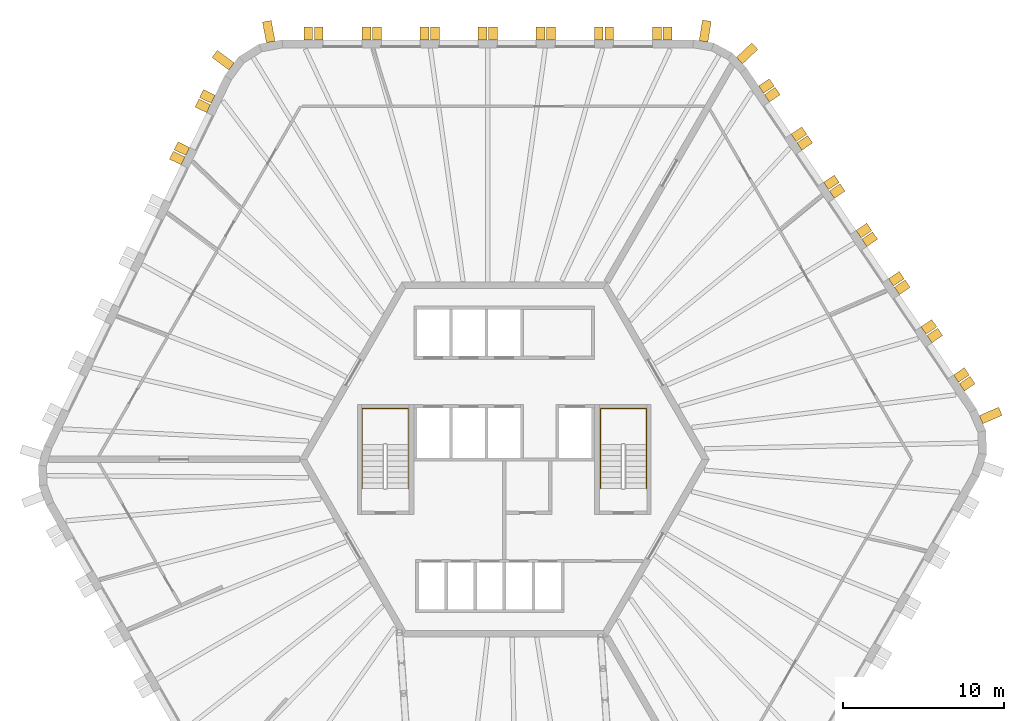
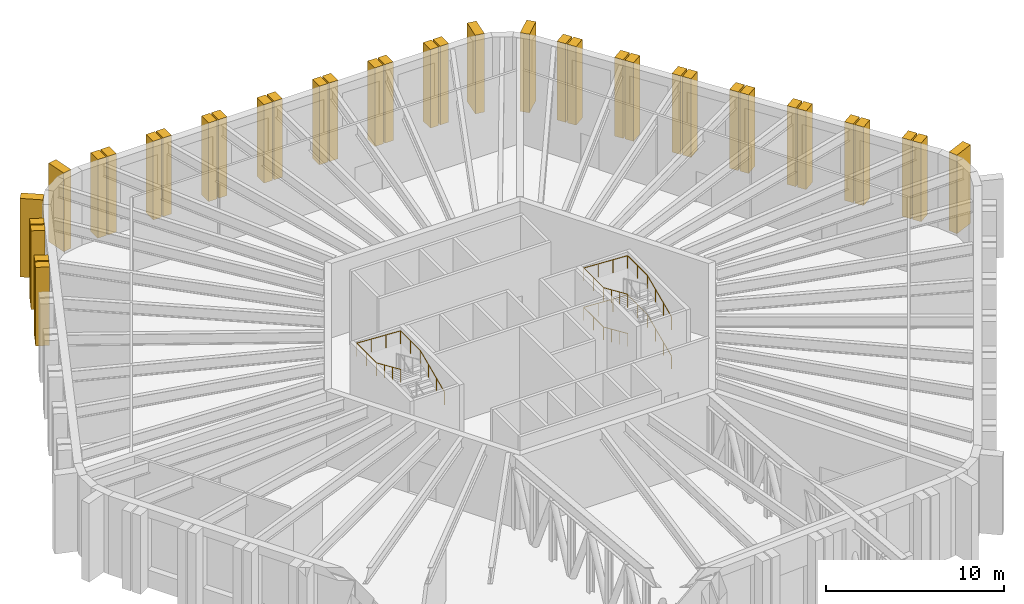
# One storey, part 9 of 9: 37 shading devices, 3 railings.
"""IFC4 building model written with IfcOpenShell, lengths in metres."""

from ifc_helpers import new_model, si_unit, direction, frame, origin, origin_2d, place, context, subcontext, project, spatial, polyline, circle, outline, extrude, material, layer, layer_set, type_object, element, save


model = new_model("IFC4")

# Units and contexts
model_context = context("Model", 3, precision=1e-05, world=origin(), true_north=direction((0.0, 1.0)))
body_context = subcontext(model_context, "Body", "Model", "MODEL_VIEW")
ifc_project = project(units=[si_unit("LENGTHUNIT", "METRE"), si_unit("AREAUNIT", "SQUARE_METRE"), si_unit("VOLUMEUNIT", "CUBIC_METRE"), si_unit("PLANEANGLEUNIT", "RADIAN"), si_unit("MASSUNIT", "GRAM", prefix="KILO")], contexts=[model_context])

# Site, building, storey
site_placement = place(None, origin())
site = spatial("IfcSite", under=ifc_project, at=site_placement, CompositionType="ELEMENT")
building_placement = place(site_placement, origin())
building = spatial("IfcBuilding", under=site, at=building_placement, Name="Tarnside Tower", CompositionType="ELEMENT")
storey_placement = place(building_placement, frame((0.0, 0.0, 338.10009765625)))
storey = spatial("IfcBuildingStorey", under=building, at=storey_placement, Name="L82", CompositionType="ELEMENT", Elevation=338.10009765625)

# Shading devices
ifc_material_1 = material(Name="Concrete C50/60 white precast", Category="concrete")
ifc_layer_1 = layer(ifc_material_1, 0.550048828125)
ifc_layer_set_1 = layer_set([ifc_layer_1], Name="Precast fin 550 x 1300")
shading_device_type_1 = type_object("IfcShadingDeviceType", Name="Precast fin 550 x 1300", PredefinedType="USERDEFINED", material=ifc_layer_set_1)
for number, where, z_axis, x_axis, name in (
    (1, (-14.4755859375, 25.8671875, -0.300048828125), (0.982720646705, 0.18509492305, 0.0), (-0.18509492305, 0.982720646705, 0.0), "Precast fin"),
    (2, (-16.903564453125, 24.349853515625, -0.300048828125), (0.597158591707, 0.802123192752, 0.0), (-0.802123192752, 0.597158591707, 0.0), "Precast fin"),
    (3, (29.53955078125, 2.464111328125, -0.300048828125), (0.396079766034, -0.918216106883, 0.0), (0.918216106883, 0.396079766034, 0.0), "Precast fin"),
    (4, (14.571044921875, 24.7109375, -0.300048828125), (0.686241637865, -0.727373641577, 0.0), (0.727373641577, 0.686241637865, 0.0), "Precast fin"),
    (5, (12.33837890625, 25.89794921875, -0.300048828125), (0.986761532114, -0.1621779231, 0.0), (0.1621779231, 0.986761532114, 0.0), "Precast fin"),
):
    element("IfcShadingDevice", number, at=place(storey_placement, frame(where, z_axis=z_axis, x_axis=x_axis)), inside=storey, type_object=shading_device_type_1, Name=name, ObjectType="FIN", PredefinedType="USERDEFINED", context=body_context, shape_type="SweptSolid", body=[
        extrude(outline(polyline([(0.0, 0.0), (1.300048828125, 0.0), (1.300048828125, 5.39990234375), (0.0, 5.39990234375), (0.0, 0.0)])), frame((0.0, 0.0, -0.27490234375)), (0.0, 0.0, 1.0), 0.550048828125),
    ])
ifc_layer_2 = layer(ifc_material_1, 0.550048828125)
ifc_layer_set_2 = layer_set([ifc_layer_2], Name="Precast fin 550 x 800")
shading_device_type_2 = type_object("IfcShadingDeviceType", Name="Precast fin 550 x 800", PredefinedType="USERDEFINED", material=ifc_layer_set_2)
for number, where, z_axis, x_axis, name in (
    (6, (10.10009765625, 26.0, -0.300048828125), (1.0, 0.0, 0.0), (0.0, 1.0, 0.0), "Precast fin"),
    (7, (9.4501953125, 26.0, -0.300048828125), (1.0, 0.0, 0.0), (0.0, 1.0, 0.0), "Precast fin"),
    (8, (6.500244140625, 26.0, -0.300048828125), (1.0, 0.0, 0.0), (0.0, 1.0, 0.0), "Precast fin"),
    (9, (5.85009765625, 26.0, -0.300048828125), (1.0, 0.0, 0.0), (0.0, 1.0, 0.0), "Precast fin"),
    (10, (2.900146484375, 26.0, -0.300048828125), (1.0, 0.0, 0.0), (0.0, 1.0, 0.0), "Precast fin"),
    (11, (2.250244140625, 26.0, -0.300048828125), (1.0, 0.0, 0.0), (0.0, 1.0, 0.0), "Precast fin"),
    (12, (-0.69970703125, 26.0, -0.300048828125), (1.0, 0.0, 0.0), (0.0, 1.0, 0.0), "Precast fin"),
    (13, (-1.349853515625, 26.0, -0.300048828125), (1.0, 0.0, 0.0), (0.0, 1.0, 0.0), "Precast fin"),
    (14, (-4.2998046875, 26.0, -0.300048828125), (1.0, 0.0, 0.0), (0.0, 1.0, 0.0), "Precast fin"),
    (15, (-4.94970703125, 26.0, -0.300048828125), (1.0, 0.0, 0.0), (0.0, 1.0, 0.0), "Precast fin"),
    (16, (-7.89990234375, 26.0, -0.300048828125), (1.0, 0.0, 0.0), (0.0, 1.0, 0.0), "Precast fin"),
    (17, (-8.5498046875, 26.0, -0.300048828125), (1.0, 0.0, 0.0), (0.0, 1.0, 0.0), "Precast fin"),
    (18, (-11.499755859375, 26.0, -0.300048828125), (1.0, 0.0, 0.0), (0.0, 1.0, 0.0), "Precast fin"),
    (19, (-12.14990234375, 26.0, -0.300048828125), (1.0, 0.0, 0.0), (0.0, 1.0, 0.0), "Precast fin"),
    (20, (-18.04248046875, 22.31787109375, -0.300048828125), (0.438371146789, 0.898794046299, 0.0), (-0.898794046299, 0.438371146789, 0.0), "Precast fin"),
    (21, (-18.327392578125, 21.733642578125, -0.300048828125), (0.438371146789, 0.898794046299, 0.0), (-0.898794046299, 0.438371146789, 0.0), "Precast fin"),
    (22, (-19.62060546875, 19.08203125, -0.300048828125), (0.438371146789, 0.898794046299, 0.0), (-0.898794046299, 0.438371146789, 0.0), "Precast fin"),
    (23, (-19.905517578125, 18.497802734375, -0.300048828125), (0.438371146789, 0.898794046299, 0.0), (-0.898794046299, 0.438371146789, 0.0), "Precast fin"),
    (24, (28.34912109375, 4.466552734375, -0.300048828125), (0.559192903471, -0.829037572555, 0.0), (0.829037572555, 0.559192903471, 0.0), "Precast fin"),
    (25, (27.985595703125, 5.00537109375, -0.300048828125), (0.559192903471, -0.829037572555, 0.0), (0.829037572555, 0.559192903471, 0.0), "Precast fin"),
    (26, (26.3359375, 7.450927734375, -0.300048828125), (0.559192903471, -0.829037572555, 0.0), (0.829037572555, 0.559192903471, 0.0), "Precast fin"),
    (27, (25.972412109375, 7.98974609375, -0.300048828125), (0.559192903471, -0.829037572555, 0.0), (0.829037572555, 0.559192903471, 0.0), "Precast fin"),
    (28, (24.32275390625, 10.435546875, -0.300048828125), (0.559192903471, -0.829037572555, 0.0), (0.829037572555, 0.559192903471, 0.0), "Precast fin"),
    (29, (23.95947265625, 10.974365234375, -0.300048828125), (0.559192903471, -0.829037572555, 0.0), (0.829037572555, 0.559192903471, 0.0), "Precast fin"),
    (30, (22.309814453125, 13.419921875, -0.300048828125), (0.559192903471, -0.829037572555, 0.0), (0.829037572555, 0.559192903471, 0.0), "Precast fin"),
    (31, (21.9462890625, 13.958984375, -0.300048828125), (0.559192903471, -0.829037572555, 0.0), (0.829037572555, 0.559192903471, 0.0), "Precast fin"),
    (32, (20.296630859375, 16.404541015625, -0.300048828125), (0.559192903471, -0.829037572555, 0.0), (0.829037572555, 0.559192903471, 0.0), "Precast fin"),
    (33, (19.93310546875, 16.943359375, -0.300048828125), (0.559192903471, -0.829037572555, 0.0), (0.829037572555, 0.559192903471, 0.0), "Precast fin"),
    (34, (18.283447265625, 19.38916015625, -0.300048828125), (0.559192903471, -0.829037572555, 0.0), (0.829037572555, 0.559192903471, 0.0), "Precast fin"),
    (35, (17.920166015625, 19.927978515625, -0.300048828125), (0.559192903471, -0.829037572555, 0.0), (0.829037572555, 0.559192903471, 0.0), "Precast fin"),
    (36, (16.2705078125, 22.37353515625, -0.300048828125), (0.559192903471, -0.829037572555, 0.0), (0.829037572555, 0.559192903471, 0.0), "Precast fin"),
    (37, (15.906982421875, 22.91259765625, -0.300048828125), (0.559192903471, -0.829037572555, 0.0), (0.829037572555, 0.559192903471, 0.0), "Precast fin"),
):
    element("IfcShadingDevice", number, at=place(storey_placement, frame(where, z_axis=z_axis, x_axis=x_axis)), inside=storey, type_object=shading_device_type_2, Name=name, ObjectType="FIN", PredefinedType="USERDEFINED", context=body_context, shape_type="SweptSolid", body=[
        extrude(outline(polyline([(0.0, 0.0), (0.800048828125, 0.0), (0.800048828125, 5.39990234375), (0.0, 5.39990234375), (0.0, 0.0)])), frame((0.0, 0.0, -0.27490234375)), (0.0, 0.0, 1.0), 0.550048828125),
    ])

# Railings
ifc_material_2 = material(Name="Stainless steel", Category="steel")
railing_type = type_object("IfcRailingType", Name="Stair handrail 900", PredefinedType="HANDRAIL", material=ifc_material_2)
railing_1_placement = place(storey_placement, frame((8.800048828125, -1.800048828125, 0.14990234375)))
element("IfcRailing", 38, at=railing_1_placement, inside=storey, type_object=railing_type, Name="L82 ST1 stair handrail 1", PredefinedType="HANDRAIL", context=body_context, shape_type="SweptSolid", body=[
    extrude(circle(Radius=0.02392578125, at=origin_2d()), frame((0.0, 0.0, 0.8857421875), z_axis=(0.0, 0.914922261443, 0.403630097387), x_axis=(-1.0, 0.0, 0.0)), (0.0, 0.0, 1.0), 2.972900390625),
    extrude(circle(Radius=0.02392578125, at=origin_2d()), frame((0.0, 2.719970703125, 2.0859375), z_axis=(0.0, 1.0, 0.0), x_axis=(-1.0, 0.0, 0.0)), (0.0, 0.0, 1.0), 2.22998046875),
    extrude(circle(Radius=0.02392578125, at=origin_2d()), frame((0.0, 4.949951171875, 2.0859375), z_axis=(-0.998615228774, 0.0, 0.052608220464), x_axis=(0.0, -1.0, 0.0)), (0.0, 0.0, 1.0), 2.85400390625),
    extrude(circle(Radius=0.02392578125, at=origin_2d()), frame((-2.85009765625, 4.949951171875, 2.23583984375), z_axis=(0.0, -1.0, 0.0), x_axis=(1.0, 0.0, 0.0)), (0.0, 0.0, 1.0), 2.22998046875),
    extrude(circle(Radius=0.02392578125, at=origin_2d()), frame((-2.85009765625, 2.719970703125, 2.23583984375), z_axis=(0.0, -0.914922261443, 0.403630097387), x_axis=(1.0, 0.0, 0.0)), (0.0, 0.0, 1.0), 2.972900390625),
    extrude(circle(Radius=0.02099609375, at=origin_2d()), origin(), (0.0, 0.0, 1.0), 0.86181640625),
    extrude(circle(Radius=0.02099609375, at=origin_2d()), frame((0.0, 0.90673828125, 0.39990234375)), (0.0, 0.0, 1.0), 0.86181640625),
    extrude(circle(Radius=0.02099609375, at=origin_2d()), frame((0.0, 1.813232421875, 0.800048828125)), (0.0, 0.0, 1.0), 0.86181640625),
    extrude(circle(Radius=0.02099609375, at=origin_2d()), frame((0.0, 2.719970703125, 1.199951171875)), (0.0, 0.0, 1.0), 0.86181640625),
    extrude(circle(Radius=0.02099609375, at=origin_2d()), frame((0.0, 3.8349609375, 1.199951171875)), (0.0, 0.0, 1.0), 0.86181640625),
    extrude(circle(Radius=0.02099609375, at=origin_2d()), frame((0.0, 4.949951171875, 1.199951171875)), (0.0, 0.0, 1.0), 0.86181640625),
    extrude(circle(Radius=0.02099609375, at=origin_2d()), frame((-0.949951171875, 4.949951171875, 1.25)), (0.0, 0.0, 1.0), 0.86181640625),
    extrude(circle(Radius=0.02099609375, at=origin_2d()), frame((-1.900146484375, 4.949951171875, 1.300048828125)), (0.0, 0.0, 1.0), 0.86181640625),
    extrude(circle(Radius=0.02099609375, at=origin_2d()), frame((-2.85009765625, 4.949951171875, 1.35009765625)), (0.0, 0.0, 1.0), 0.86181640625),
    extrude(circle(Radius=0.02099609375, at=origin_2d()), frame((-2.85009765625, 3.8349609375, 1.35009765625)), (0.0, 0.0, 1.0), 0.86181640625),
    extrude(circle(Radius=0.02099609375, at=origin_2d()), frame((-2.85009765625, 2.719970703125, 1.35009765625)), (0.0, 0.0, 1.0), 0.86181640625),
    extrude(circle(Radius=0.02099609375, at=origin_2d()), frame((-2.85009765625, 1.813232421875, 1.75)), (0.0, 0.0, 1.0), 0.86181640625),
    extrude(circle(Radius=0.02099609375, at=origin_2d()), frame((-2.85009765625, 0.90673828125, 2.150146484375)), (0.0, 0.0, 1.0), 0.86181640625),
    extrude(circle(Radius=0.02099609375, at=origin_2d()), frame((-2.85009765625, 0.0, 2.550048828125)), (0.0, 0.0, 1.0), 0.86181640625),
])
railing_2_placement = place(storey_placement, frame((8.800048828125, -1.800048828125, 2.849853515625)))
element("IfcRailing", 39, at=railing_2_placement, inside=storey, type_object=railing_type, Name="L82 ST1 stair handrail 2", PredefinedType="HANDRAIL", context=body_context, shape_type="SweptSolid", body=[
    extrude(circle(Radius=0.02392578125, at=origin_2d()), frame((0.0, 0.0, 0.8857421875), z_axis=(0.0, 0.914922261443, 0.403630097387), x_axis=(-1.0, 0.0, 0.0)), (0.0, 0.0, 1.0), 2.972900390625),
    extrude(circle(Radius=0.02392578125, at=origin_2d()), frame((0.0, 2.719970703125, 2.0859375), z_axis=(0.0, 1.0, 0.0), x_axis=(-1.0, 0.0, 0.0)), (0.0, 0.0, 1.0), 2.22998046875),
    extrude(circle(Radius=0.02392578125, at=origin_2d()), frame((0.0, 4.949951171875, 2.0859375), z_axis=(-0.998615228774, 0.0, 0.052608220464), x_axis=(0.0, -1.0, 0.0)), (0.0, 0.0, 1.0), 2.85400390625),
    extrude(circle(Radius=0.02392578125, at=origin_2d()), frame((-2.85009765625, 4.949951171875, 2.23583984375), z_axis=(0.0, -1.0, 0.0), x_axis=(1.0, 0.0, 0.0)), (0.0, 0.0, 1.0), 2.22998046875),
    extrude(circle(Radius=0.02392578125, at=origin_2d()), frame((-2.85009765625, 2.719970703125, 2.23583984375), z_axis=(0.0, -0.914922261443, 0.403630097387), x_axis=(1.0, 0.0, 0.0)), (0.0, 0.0, 1.0), 2.972900390625),
    extrude(circle(Radius=0.02099609375, at=origin_2d()), origin(), (0.0, 0.0, 1.0), 0.86181640625),
    extrude(circle(Radius=0.02099609375, at=origin_2d()), frame((0.0, 0.90673828125, 0.39990234375)), (0.0, 0.0, 1.0), 0.86181640625),
    extrude(circle(Radius=0.02099609375, at=origin_2d()), frame((0.0, 1.813232421875, 0.800048828125)), (0.0, 0.0, 1.0), 0.86181640625),
    extrude(circle(Radius=0.02099609375, at=origin_2d()), frame((0.0, 2.719970703125, 1.199951171875)), (0.0, 0.0, 1.0), 0.86181640625),
    extrude(circle(Radius=0.02099609375, at=origin_2d()), frame((0.0, 3.8349609375, 1.199951171875)), (0.0, 0.0, 1.0), 0.86181640625),
    extrude(circle(Radius=0.02099609375, at=origin_2d()), frame((0.0, 4.949951171875, 1.199951171875)), (0.0, 0.0, 1.0), 0.86181640625),
    extrude(circle(Radius=0.02099609375, at=origin_2d()), frame((-0.949951171875, 4.949951171875, 1.25)), (0.0, 0.0, 1.0), 0.86181640625),
    extrude(circle(Radius=0.02099609375, at=origin_2d()), frame((-1.900146484375, 4.949951171875, 1.300048828125)), (0.0, 0.0, 1.0), 0.86181640625),
    extrude(circle(Radius=0.02099609375, at=origin_2d()), frame((-2.85009765625, 4.949951171875, 1.35009765625)), (0.0, 0.0, 1.0), 0.86181640625),
    extrude(circle(Radius=0.02099609375, at=origin_2d()), frame((-2.85009765625, 3.8349609375, 1.35009765625)), (0.0, 0.0, 1.0), 0.86181640625),
    extrude(circle(Radius=0.02099609375, at=origin_2d()), frame((-2.85009765625, 2.719970703125, 1.35009765625)), (0.0, 0.0, 1.0), 0.86181640625),
    extrude(circle(Radius=0.02099609375, at=origin_2d()), frame((-2.85009765625, 1.813232421875, 1.75)), (0.0, 0.0, 1.0), 0.86181640625),
    extrude(circle(Radius=0.02099609375, at=origin_2d()), frame((-2.85009765625, 0.90673828125, 2.150146484375)), (0.0, 0.0, 1.0), 0.86181640625),
    extrude(circle(Radius=0.02099609375, at=origin_2d()), frame((-2.85009765625, 0.0, 2.550048828125)), (0.0, 0.0, 1.0), 0.86181640625),
])
railing_3_placement = place(storey_placement, frame((-5.949951171875, -1.800048828125, 2.849853515625)))
element("IfcRailing", 40, at=railing_3_placement, inside=storey, type_object=railing_type, Name="L82 ST2 stair handrail 2", PredefinedType="HANDRAIL", context=body_context, shape_type="SweptSolid", body=[
    extrude(circle(Radius=0.02392578125, at=origin_2d()), frame((0.0, 0.0, 0.8857421875), z_axis=(0.0, 0.914922261443, 0.403630097387), x_axis=(-1.0, 0.0, 0.0)), (0.0, 0.0, 1.0), 2.972900390625),
    extrude(circle(Radius=0.02392578125, at=origin_2d()), frame((0.0, 2.719970703125, 2.0859375), z_axis=(0.0, 1.0, 0.0), x_axis=(-1.0, 0.0, 0.0)), (0.0, 0.0, 1.0), 2.22998046875),
    extrude(circle(Radius=0.02392578125, at=origin_2d()), frame((0.0, 4.949951171875, 2.0859375), z_axis=(-0.998615228774, 0.0, 0.052608220464), x_axis=(0.0, -1.0, 0.0)), (0.0, 0.0, 1.0), 2.85400390625),
    extrude(circle(Radius=0.02392578125, at=origin_2d()), frame((-2.85009765625, 4.949951171875, 2.23583984375), z_axis=(0.0, -1.0, 0.0), x_axis=(1.0, 0.0, 0.0)), (0.0, 0.0, 1.0), 2.22998046875),
    extrude(circle(Radius=0.02392578125, at=origin_2d()), frame((-2.85009765625, 2.719970703125, 2.23583984375), z_axis=(0.0, -0.914922261443, 0.403630097387), x_axis=(1.0, 0.0, 0.0)), (0.0, 0.0, 1.0), 2.972900390625),
    extrude(circle(Radius=0.02099609375, at=origin_2d()), origin(), (0.0, 0.0, 1.0), 0.86181640625),
    extrude(circle(Radius=0.02099609375, at=origin_2d()), frame((0.0, 0.90673828125, 0.39990234375)), (0.0, 0.0, 1.0), 0.86181640625),
    extrude(circle(Radius=0.02099609375, at=origin_2d()), frame((0.0, 1.813232421875, 0.800048828125)), (0.0, 0.0, 1.0), 0.86181640625),
    extrude(circle(Radius=0.02099609375, at=origin_2d()), frame((0.0, 2.719970703125, 1.199951171875)), (0.0, 0.0, 1.0), 0.86181640625),
    extrude(circle(Radius=0.02099609375, at=origin_2d()), frame((0.0, 3.8349609375, 1.199951171875)), (0.0, 0.0, 1.0), 0.86181640625),
    extrude(circle(Radius=0.02099609375, at=origin_2d()), frame((0.0, 4.949951171875, 1.199951171875)), (0.0, 0.0, 1.0), 0.86181640625),
    extrude(circle(Radius=0.02099609375, at=origin_2d()), frame((-0.949951171875, 4.949951171875, 1.25)), (0.0, 0.0, 1.0), 0.86181640625),
    extrude(circle(Radius=0.02099609375, at=origin_2d()), frame((-1.900146484375, 4.949951171875, 1.300048828125)), (0.0, 0.0, 1.0), 0.86181640625),
    extrude(circle(Radius=0.02099609375, at=origin_2d()), frame((-2.85009765625, 4.949951171875, 1.35009765625)), (0.0, 0.0, 1.0), 0.86181640625),
    extrude(circle(Radius=0.02099609375, at=origin_2d()), frame((-2.85009765625, 3.8349609375, 1.35009765625)), (0.0, 0.0, 1.0), 0.86181640625),
    extrude(circle(Radius=0.02099609375, at=origin_2d()), frame((-2.85009765625, 2.719970703125, 1.35009765625)), (0.0, 0.0, 1.0), 0.86181640625),
    extrude(circle(Radius=0.02099609375, at=origin_2d()), frame((-2.85009765625, 1.813232421875, 1.75)), (0.0, 0.0, 1.0), 0.86181640625),
    extrude(circle(Radius=0.02099609375, at=origin_2d()), frame((-2.85009765625, 0.90673828125, 2.150146484375)), (0.0, 0.0, 1.0), 0.86181640625),
    extrude(circle(Radius=0.02099609375, at=origin_2d()), frame((-2.85009765625, 0.0, 2.550048828125)), (0.0, 0.0, 1.0), 0.86181640625),
])

save(model, "model.ifc")
